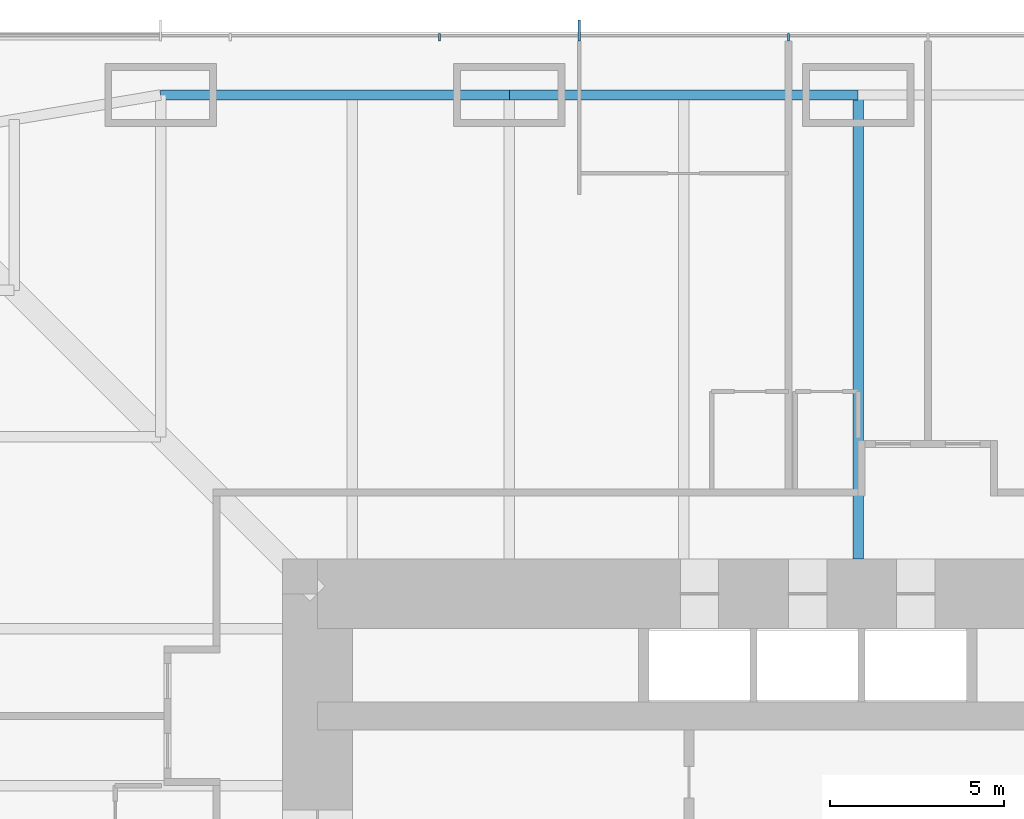
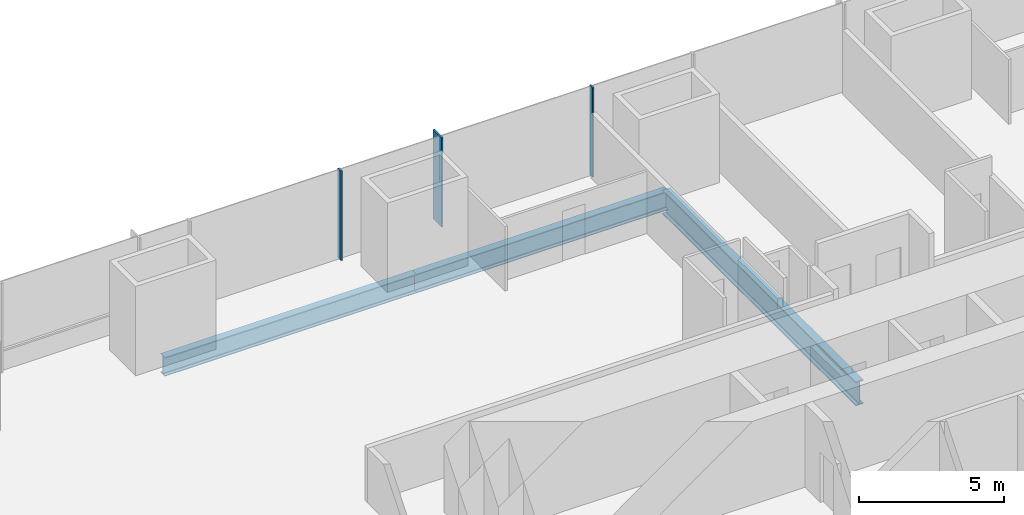
# One storey, part 7 of 17: 3 beams, 3 members, 1 element without a shape of its own.
"""IFC4 building model written with IfcOpenShell, lengths in metres."""

from ifc_helpers import new_model, si_unit, direction, frame, origin, origin_2d, place, context, subcontext, project, spatial, rectangle, i_section, extrude, material, material_profile, profile_set, type_object, element, aggregate, save


model = new_model("IFC4")

# Units and contexts
model_context = context("Model", 3, precision=1e-05, world=origin(), true_north=direction((0.0, 1.0)))
body_context = subcontext(model_context, "Body", "Model", "MODEL_VIEW")
ifc_project = project(units=[si_unit("LENGTHUNIT", "METRE"), si_unit("AREAUNIT", "SQUARE_METRE"), si_unit("VOLUMEUNIT", "CUBIC_METRE"), si_unit("PLANEANGLEUNIT", "RADIAN"), si_unit("MASSUNIT", "GRAM", prefix="KILO")], contexts=[model_context])

# Site, building, storey
site_placement = place(None, origin())
site = spatial("IfcSite", under=ifc_project, at=site_placement, CompositionType="ELEMENT")
building_placement = place(site_placement, origin())
building = spatial("IfcBuilding", under=site, at=building_placement, Name="Khuree Lantern Residences", CompositionType="ELEMENT")
storey_placement = place(building_placement, frame((0.0, 0.0, 51.0)))
storey = spatial("IfcBuildingStorey", under=building, at=storey_placement, Name="L12", CompositionType="ELEMENT", Elevation=51.0)

# Beams
ifc_material_1 = material(Name="Steel S355", Category="steel")
ifc_material_profile_1 = material_profile(ifc_material_1, i_section(OverallWidth=0.300048828125, OverallDepth=0.7900390625, WebThickness=0.014892578125, FlangeThickness=0.028076171875, FilletRadius=0.030029296875, at=origin_2d()), Name="HE 800 A")
ifc_profile_set_1 = profile_set([ifc_material_profile_1], Name="Steel S355")
beam_type_1 = type_object("IfcBeamType", Name="E-13 SPANDREL BEAM HE 800 A", PredefinedType="SPANDREL", material=ifc_profile_set_1)
for number, where, z_axis, x_axis, name in (
    (1, (-20.0, 29.800048828125, -0.64501953125), (1.0, 0.0, 0.0), (0.0, 1.0, 0.0), "Spandrel beam N1"),
    (2, (-10.0, 29.800048828125, -0.64501953125), (1.0, 0.0, 0.0), (0.0, 1.0, 0.0), "Spandrel beam N2"),
):
    element("IfcBeam", number, at=place(storey_placement, frame(where, z_axis=z_axis, x_axis=x_axis)), inside=storey, type_object=beam_type_1, Name=name, PredefinedType="SPANDREL", context=body_context, shape_type="SweptSolid", body=[
        extrude(i_section(OverallWidth=0.300048828125, OverallDepth=0.7900390625, WebThickness=0.014892578125, FlangeThickness=0.028076171875, FilletRadius=0.030029296875, at=origin_2d()), origin(), (0.0, 0.0, 1.0), 10.0),
    ])

# Curtain wall, member
ifc_material_2 = material(Name="Bronze anodised aluminium", Category="aluminium")
curtain_wall_type = type_object("IfcCurtainWallType", Name="CW-T1 TOWER FACE CURTAIN WALL", PredefinedType="USERDEFINED", material=ifc_material_2)
curtain_wall_placement = place(storey_placement, origin())
curtain_wall = element("IfcCurtainWall", 3, at=curtain_wall_placement, inside=storey, type_object=curtain_wall_type, Name="L12 NORTH FACE CURTAIN WALL", ObjectType="Stick-built curtain wall", PredefinedType="USERDEFINED")
ifc_material_profile_2 = material_profile(ifc_material_2, rectangle(XDim=0.06494140625, YDim=0.60009765625, at=origin_2d()), Name="F1 65X600")
ifc_profile_set_2 = profile_set([ifc_material_profile_2], Name="Bronze anodised aluminium")
member_type_1 = type_object("IfcMemberType", Name="F1 BRONZE FIN MULLION TOWER 65X600", PredefinedType="MULLION", material=ifc_profile_set_2)
member_1_placement = place(storey_placement, frame((-8.0, 31.64990234375, 0.0), z_axis=(0.0, 0.0, 1.0), x_axis=(-1.0, 0.0, 0.0)))
member_1 = element("IfcMember", 4, at=member_1_placement, type_object=member_type_1, Name="L12 NORTH FACE FIN MULLION 25", PredefinedType="MULLION", context=body_context, shape_type="SweptSolid", body=[
    extrude(rectangle(XDim=0.06494140625, YDim=0.60009765625, at=origin_2d()), origin(), (0.0, 0.0, 1.0), 3.75),
])

# Beam
ifc_material_profile_3 = material_profile(ifc_material_1, i_section(OverallWidth=0.302001953125, OverallDepth=1.008056640625, WebThickness=0.02099609375, FlangeThickness=0.0400390625, FilletRadius=0.030029296875, at=origin_2d()), Name="HE 1000 M")
ifc_profile_set_3 = profile_set([ifc_material_profile_3], Name="Steel S355")
beam_type_2 = type_object("IfcBeamType", Name="G-13 GIRDER HE 1000 M", PredefinedType="BEAM", material=ifc_profile_set_3)
beam_placement = place(storey_placement, frame((0.0, 29.800048828125, -0.75390625), z_axis=(0.0, -1.0, 0.0), x_axis=(1.0, 0.0, 0.0)))
element("IfcBeam", 5, at=beam_placement, inside=storey, type_object=beam_type_2, Name="Girder N3", PredefinedType="BEAM", context=body_context, shape_type="SweptSolid", body=[
    extrude(i_section(OverallWidth=0.302001953125, OverallDepth=1.008056640625, WebThickness=0.02099609375, FlangeThickness=0.0400390625, FilletRadius=0.030029296875, at=origin_2d()), origin(), (0.0, 0.0, 1.0), 13.300048828125),
])

# Member
ifc_material_profile_4 = material_profile(ifc_material_2, rectangle(XDim=0.06494140625, YDim=0.219970703125, at=origin_2d()), Name="M1 65X220")
ifc_profile_set_4 = profile_set([ifc_material_profile_4], Name="Bronze anodised aluminium")
member_type_2 = type_object("IfcMemberType", Name="M1 BRONZE MULLION TOWER 65X220", PredefinedType="MULLION", material=ifc_profile_set_4)
member_2_placement = place(storey_placement, frame((-2.0, 31.4599609375, 0.0), z_axis=(0.0, 0.0, 1.0), x_axis=(-1.0, 0.0, 0.0)))
member_2 = element("IfcMember", 6, at=member_2_placement, type_object=member_type_2, Name="L12 NORTH FACE MULLION 24", PredefinedType="MULLION", context=body_context, shape_type="SweptSolid", body=[
    extrude(rectangle(XDim=0.06494140625, YDim=0.219970703125, at=origin_2d()), origin(), (0.0, 0.0, 1.0), 3.75),
])

member_3_placement = place(storey_placement, frame((-12.0, 31.4599609375, 0.0), z_axis=(0.0, 0.0, 1.0), x_axis=(-1.0, 0.0, 0.0)))
member_3 = element("IfcMember", 7, at=member_3_placement, type_object=member_type_2, Name="L12 NORTH FACE MULLION 26", PredefinedType="MULLION", context=body_context, shape_type="SweptSolid", body=[
    extrude(rectangle(XDim=0.06494140625, YDim=0.219970703125, at=origin_2d()), origin(), (0.0, 0.0, 1.0), 3.75),
])

aggregate(curtain_wall, [member_2, member_1, member_3])

save(model, "model.ifc")
